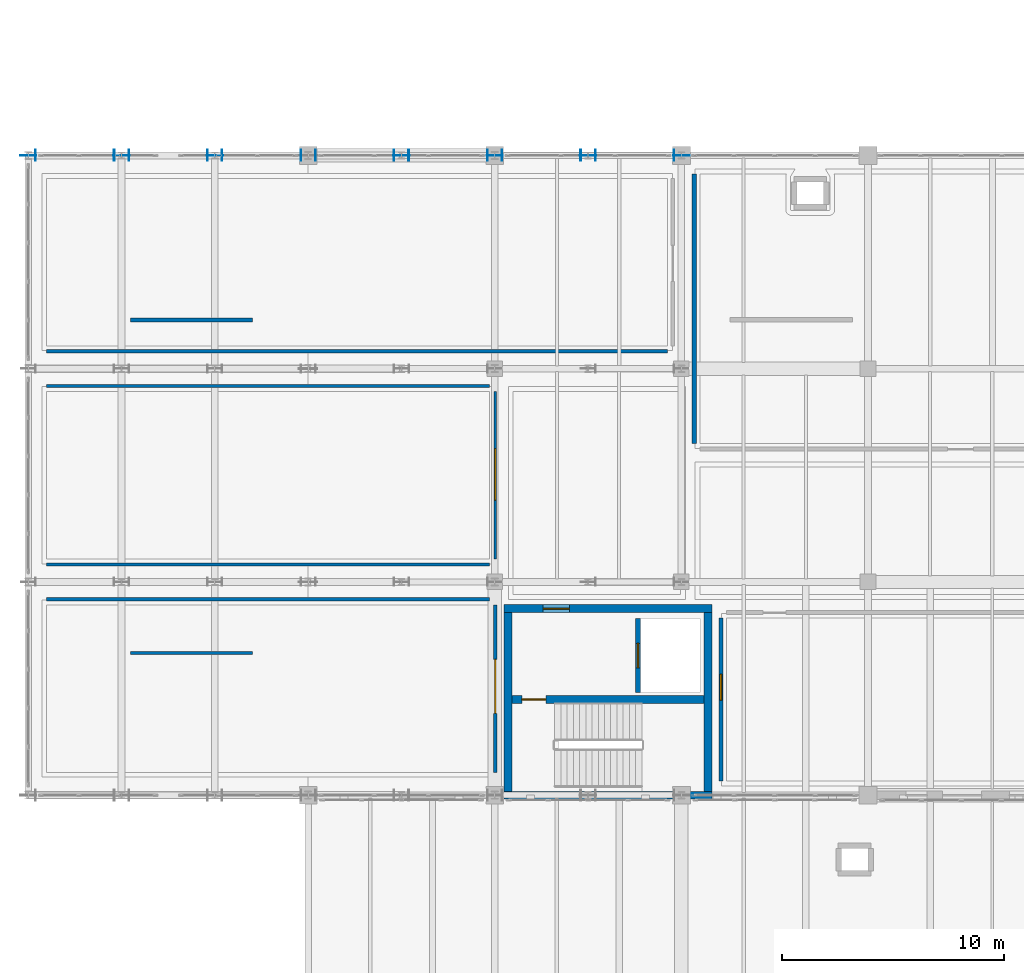
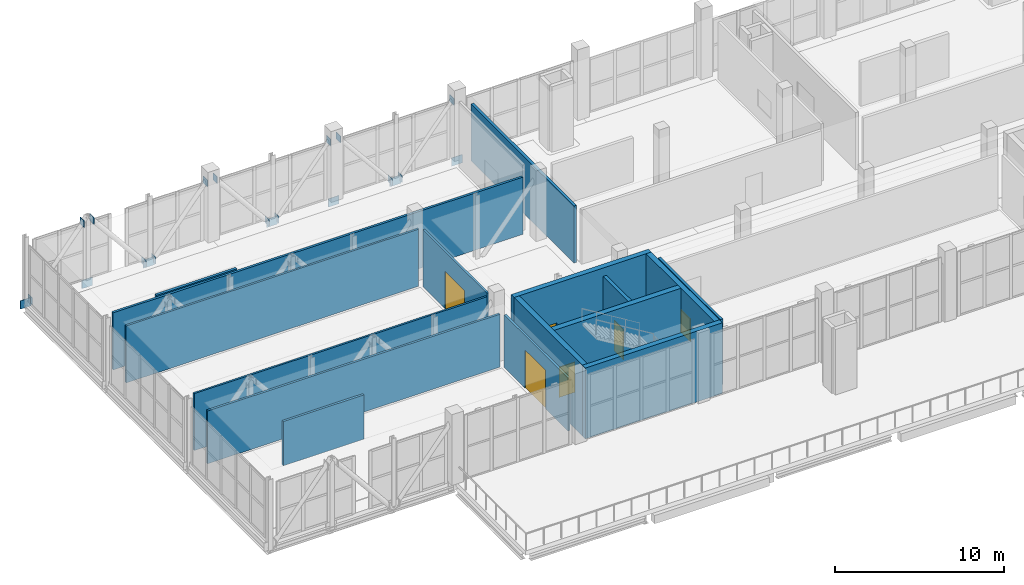
# One storey, part 58 of 77: 21 plates, 16 walls, 5 doors, 1 window, 6 openings.
"""IFC4 building model written with IfcOpenShell, lengths in metres."""

from ifc_helpers import new_model, si_unit, direction, frame, frame_2d, origin, origin_2d, place, context, subcontext, project, spatial, rectangle, extrude, material, layer, layer_set, type_object, element, fill, save


model = new_model("IFC4")

# Units and contexts
model_context = context("Model", 3, precision=1e-05, world=origin(), true_north=direction((0.0, 1.0)))
body_context = subcontext(model_context, "Body", "Model", "MODEL_VIEW")
ifc_project = project(units=[si_unit("LENGTHUNIT", "METRE"), si_unit("AREAUNIT", "SQUARE_METRE"), si_unit("VOLUMEUNIT", "CUBIC_METRE"), si_unit("PLANEANGLEUNIT", "RADIAN"), si_unit("MASSUNIT", "GRAM", prefix="KILO")], contexts=[model_context])

# Site, building, storey
site_placement = place(None, origin())
site = spatial("IfcSite", under=ifc_project, at=site_placement, CompositionType="ELEMENT")
building_placement = place(site_placement, origin())
building = spatial("IfcBuilding", under=site, at=building_placement, Name="Zulmaris Art Gallery", CompositionType="ELEMENT")
storey_placement = place(building_placement, frame((0.0, 0.0, 15.60009765625)))
storey = spatial("IfcBuildingStorey", under=building, at=storey_placement, Name="L03", CompositionType="ELEMENT", Elevation=15.60009765625)

# Plates
ifc_material_1 = material(Name="Steel S355J2", Category="steel")
ifc_layer_1 = layer(ifc_material_1, 0.028076171875)
ifc_layer_set_1 = layer_set([ifc_layer_1], Name="Steel S355J2")
plate_type_1 = type_object("IfcPlateType", Name="PLT-CP04", PredefinedType="USERDEFINED", material=ifc_layer_set_1)
for number, where, z_axis, x_axis, name in (
    (1, (11.72998046875, 50.39990234375, -0.384033203125), (0.0, 0.0, 1.0), (1.0, 0.0, 0.0), "Hollow-section end cap plate 39"),
    (2, (15.27001953125, 50.39990234375, 3.930419921875), (0.0, 0.0, 1.0), (1.0, 0.0, 0.0), "Hollow-section end cap plate 40"),
    (3, (15.929931640625, 50.39990234375, 3.930419921875), (0.0, 0.0, 1.0), (1.0, 0.0, 0.0), "Hollow-section end cap plate 41"),
    (4, (19.47021484375, 50.39990234375, -0.384033203125), (0.0, 0.0, 1.0), (1.0, 0.0, 0.0), "Hollow-section end cap plate 42"),
    (5, (20.1298828125, 50.39990234375, -0.384033203125), (0.0, 0.0, 1.0), (1.0, 0.0, 0.0), "Hollow-section end cap plate 43"),
    (6, (23.670166015625, 50.39990234375, 3.930419921875), (0.0, 0.0, 1.0), (1.0, 0.0, 0.0), "Hollow-section end cap plate 44"),
    (7, (24.329833984375, 50.39990234375, 3.930419921875), (0.0, 0.0, 1.0), (1.0, 0.0, 0.0), "Hollow-section end cap plate 45"),
    (8, (27.8701171875, 50.39990234375, -0.384033203125), (0.0, 0.0, 1.0), (1.0, 0.0, 0.0), "Hollow-section end cap plate 46"),
    (9, (28.52978515625, 50.39990234375, -0.384033203125), (0.0, 0.0, 1.0), (1.0, 0.0, 0.0), "Hollow-section end cap plate 47"),
    (10, (32.070068359375, 50.39990234375, 3.930419921875), (0.0, 0.0, 1.0), (1.0, 0.0, 0.0), "Hollow-section end cap plate 48"),
    (11, (32.72998046875, 50.39990234375, 3.930419921875), (0.0, 0.0, 1.0), (1.0, 0.0, 0.0), "Hollow-section end cap plate 49"),
    (12, (36.27001953125, 50.39990234375, -0.384033203125), (0.0, 0.0, 1.0), (1.0, 0.0, 0.0), "Hollow-section end cap plate 50"),
    (13, (36.929931640625, 50.39990234375, -0.384033203125), (0.0, 0.0, 1.0), (1.0, 0.0, 0.0), "Hollow-section end cap plate 51"),
    (14, (40.47021484375, 50.39990234375, 3.930419921875), (0.0, 0.0, 1.0), (1.0, 0.0, 0.0), "Hollow-section end cap plate 52"),
):
    element("IfcPlate", number, at=place(storey_placement, frame(where, z_axis=z_axis, x_axis=x_axis)), inside=storey, type_object=plate_type_1, Name=name, ObjectType="CAP PLATE", PredefinedType="USERDEFINED", context=body_context, shape_type="SweptSolid", body=[
        extrude(rectangle(XDim=0.028076171875, YDim=0.5, at=origin_2d()), origin(), (0.0, 0.0, 1.0), 0.5),
    ])
ifc_layer_2 = layer(ifc_material_1, 0.031982421875)
ifc_layer_set_2 = layer_set([ifc_layer_2], Name="Steel S355J2")
plate_type_2 = type_object("IfcPlateType", Name="PLT-GP03", PredefinedType="USERDEFINED", material=ifc_layer_set_2)
for number, where, z_axis, x_axis, name in (
    (15, (11.39990234375, 50.39990234375, -0.586181640625), (0.0, 0.0, 1.0), (1.0, 0.0, 0.0), "Cantilever truss TR-C4 node gusset 1"),
    (16, (15.60009765625, 50.39990234375, -0.586181640625), (0.0, 0.0, 1.0), (1.0, 0.0, 0.0), "Cantilever truss TR-C4 node gusset 2"),
    (17, (19.800048828125, 50.39990234375, -0.586181640625), (0.0, 0.0, 1.0), (1.0, 0.0, 0.0), "Cantilever truss TR-C4 node gusset 3"),
    (18, (28.199951171875, 50.39990234375, -0.586181640625), (0.0, 0.0, 1.0), (1.0, 0.0, 0.0), "Cantilever truss TR-C4 node gusset 5"),
    (19, (32.39990234375, 50.39990234375, -0.586181640625), (0.0, 0.0, 1.0), (1.0, 0.0, 0.0), "Cantilever truss TR-C4 node gusset 6"),
    (20, (36.60009765625, 50.39990234375, -0.586181640625), (0.0, 0.0, 1.0), (1.0, 0.0, 0.0), "Cantilever truss TR-C4 node gusset 7"),
    (21, (40.800048828125, 50.39990234375, -0.586181640625), (0.0, 0.0, 1.0), (1.0, 0.0, 0.0), "Cantilever truss TR-C4 node gusset 8"),
):
    element("IfcPlate", number, at=place(storey_placement, frame(where, z_axis=z_axis, x_axis=x_axis)), inside=storey, type_object=plate_type_2, Name=name, ObjectType="GUSSET PLATE", PredefinedType="USERDEFINED", context=body_context, shape_type="SweptSolid", body=[
        extrude(rectangle(XDim=0.739990234375, YDim=0.031982421875, at=origin_2d()), origin(), (0.0, 0.0, 1.0), 0.60009765625),
    ])

# Walls
ifc_material_2 = material(Name="Demountable Timber-Clad Exhibition Wall A", Category="wood")
ifc_layer_3 = layer(ifc_material_2, 0.152099609375)
ifc_layer_set_3 = layer_set([ifc_layer_3], Name="Demountable Timber-Clad Exhibition Wall A")
wall_type_1 = type_object("IfcWallType", Name="IWALL-MW01", PredefinedType="MOVABLE", material=ifc_layer_set_3)
wall_1_placement = place(storey_placement, frame((16.0, 28.0, 0.0), z_axis=(0.0, 0.0, 1.0), x_axis=(1.0, 0.0, 0.0)))
element("IfcWall", 22, at=wall_1_placement, inside=storey, type_object=wall_type_1, Name="L03 Movable Gallery Display Wall 13", PredefinedType="MOVABLE", context=body_context, shape_type="SweptSolid", body=[
    extrude(rectangle(XDim=5.5, YDim=0.152099609375, at=frame_2d((2.75, 0.0))), origin(), (0.0, 0.0, 1.0), 3.199951171875),
])
ifc_material_3 = material(Name="Track-Hung Acoustic Gallery Display Wall B", Category="timber")
ifc_layer_4 = layer(ifc_material_3, 0.181884765625)
ifc_layer_set_4 = layer_set([ifc_layer_4], Name="Track-Hung Acoustic Gallery Display Wall B")
wall_type_2 = type_object("IfcWallType", Name="IWALL-MW02", PredefinedType="MOVABLE", material=ifc_layer_set_4)
wall_2_placement = place(storey_placement, frame((16.0, 43.0, 0.0), z_axis=(0.0, 0.0, 1.0), x_axis=(1.0, 0.0, 0.0)))
element("IfcWall", 23, at=wall_2_placement, inside=storey, type_object=wall_type_2, Name="L03 Movable Gallery Display Wall 14", PredefinedType="MOVABLE", context=body_context, shape_type="SweptSolid", body=[
    extrude(rectangle(XDim=5.5, YDim=0.181884765625, at=frame_2d((2.75, 0.0))), origin(), (0.0, 0.0, 1.0), 3.199951171875),
])

# Wall, opening, door
ifc_material_4 = material(Name="Light Gallery Backing Partition", Category="gypsum")
ifc_layer_5 = layer(ifc_material_4, 0.1298828125)
ifc_layer_set_5 = layer_set([ifc_layer_5], Name="Light Gallery Backing Partition")
wall_type_3 = type_object("IfcWallType", Name="IWALL-PW03", PredefinedType="PARTITIONING", material=ifc_layer_set_5)
wall_3_placement = place(storey_placement, frame((32.419921875, 32.22998046875, 0.0), z_axis=(0.0, 0.0, 1.0), x_axis=(0.0, 1.0, 0.0)))
wall_3 = element("IfcWall", 24, at=wall_3_placement, inside=storey, type_object=wall_type_3, Name="Cantilever Horizon Belvedere Gallery E partition", PredefinedType="PARTITIONING", context=body_context, shape_type="SweptSolid", body=[
    extrude(rectangle(XDim=7.5400390625, YDim=0.1298828125, at=frame_2d((3.77001953125, 0.0))), origin(), (0.0, 0.0, 1.0), 4.10986328125),
])
opening_1_placement = place(wall_3_placement, frame((2.64990234375, 0.0, 0.0)))
opening_1 = element("IfcOpeningElement", 25, at=opening_1_placement, cuts=wall_3, Name="Opening D20", PredefinedType="OPENING", context=body_context, shape_type="SweptSolid", body=[
    extrude(rectangle(XDim=2.320068359375, YDim=2.699951171875, at=frame_2d((1.16015625, 1.35009765625))), frame((0.0, 0.074951171875, 0.0), z_axis=(0.0, -1.0, 0.0), x_axis=(1.0, 0.0, 0.0)), (0.0, 0.0, 1.0), 0.14990234375),
])
ifc_material_5 = material(Name="Oversize Painting Transit Portal Door", Category="steel")
door_type_1 = type_object("IfcDoorType", Name="IDOOR-D20", OperationType="DOUBLE_SWING_RIGHT", PredefinedType="DOOR", material=ifc_material_5)
door_1_placement = place(opening_1_placement, origin())
door_1 = element("IfcDoor", 26, at=door_1_placement, inside=storey, type_object=door_type_1, Name="Cantilever Horizon Belvedere Gallery Door", OperationType="DOUBLE_SWING_RIGHT", OverallHeight=2.699951171875, OverallWidth=2.320068359375, PredefinedType="DOOR", context=body_context, shape_type="SweptSolid", body=[
    extrude(rectangle(XDim=2.320068359375, YDim=2.699951171875, at=frame_2d((1.16015625, 1.35009765625))), frame((0.0, 0.02490234375, 0.0), z_axis=(0.0, -1.0, 0.0), x_axis=(1.0, 0.0, 0.0)), (0.0, 0.0, 1.0), 0.050048828125),
])
fill(opening_1, door_1)

# Walls
for number, where, z_axis, x_axis, name in (
    (27, (12.22998046875, 31.97998046875, 0.0), (0.0, 0.0, 1.0), (1.0, 0.0, 0.0), "Cantilever Horizon Belvedere Gallery S partition"),
    (28, (12.22998046875, 40.02001953125, 0.0), (0.0, 0.0, 1.0), (1.0, 0.0, 0.0), "Cantilever Horizon Belvedere Gallery N partition"),
):
    element("IfcWall", number, at=place(storey_placement, frame(where, z_axis=z_axis, x_axis=x_axis)), inside=storey, type_object=wall_type_3, Name=name, PredefinedType="PARTITIONING", context=body_context, shape_type="SweptSolid", body=[
        extrude(rectangle(XDim=19.93994140625, YDim=0.1298828125, at=frame_2d((9.969970703125, 0.0))), origin(), (0.0, 0.0, 1.0), 4.10986328125),
    ])

# Wall, opening, door
ifc_material_6 = material(Name="Plywood-Backed Gallery Hanging Partition", Category="wood")
ifc_layer_6 = layer(ifc_material_6, 0.14501953125)
ifc_layer_set_6 = layer_set([ifc_layer_6], Name="Plywood-Backed Gallery Hanging Partition")
wall_type_4 = type_object("IfcWallType", Name="IWALL-PW04", PredefinedType="PARTITIONING", material=ifc_layer_set_6)
wall_4_placement = place(storey_placement, frame((32.419921875, 22.6298828125, 0.0), z_axis=(0.0, 0.0, 1.0), x_axis=(0.0, 1.0, 0.0)))
wall_4 = element("IfcWall", 29, at=wall_4_placement, inside=storey, type_object=wall_type_4, Name="Cantilever South Sculpture Gallery E partition", PredefinedType="PARTITIONING", context=body_context, shape_type="SweptSolid", body=[
    extrude(rectangle(XDim=7.5400390625, YDim=0.14501953125, at=frame_2d((3.77001953125, 0.0))), origin(), (0.0, 0.0, 1.0), 3.809814453125),
])
opening_2_placement = place(wall_4_placement, frame((2.64990234375, 0.0, 0.0)))
opening_2 = element("IfcOpeningElement", 30, at=opening_2_placement, cuts=wall_4, Name="Opening D21", PredefinedType="OPENING", context=body_context, shape_type="SweptSolid", body=[
    extrude(rectangle(XDim=2.43994140625, YDim=2.760009765625, at=frame_2d((1.219970703125, 1.3798828125))), frame((0.0, 0.08251953125, 0.0), z_axis=(0.0, -1.0, 0.0), x_axis=(1.0, 0.0, 0.0)), (0.0, 0.0, 1.0), 0.1650390625),
])
ifc_material_7 = material(Name="Sculpture Gallery Monumental Portal Door", Category="aluminium")
door_type_2 = type_object("IfcDoorType", Name="IDOOR-D21", OperationType="DOUBLE_SWING_LEFT", PredefinedType="DOOR", material=ifc_material_7)
door_2_placement = place(opening_2_placement, origin())
door_2 = element("IfcDoor", 31, at=door_2_placement, inside=storey, type_object=door_type_2, Name="Cantilever South Sculpture Gallery Door", OperationType="DOUBLE_SWING_LEFT", OverallHeight=2.760009765625, OverallWidth=2.43994140625, PredefinedType="DOOR", context=body_context, shape_type="SweptSolid", body=[
    extrude(rectangle(XDim=2.43994140625, YDim=2.760009765625, at=frame_2d((1.219970703125, 1.3798828125))), frame((0.0, 0.02490234375, 0.0), z_axis=(0.0, -1.0, 0.0), x_axis=(1.0, 0.0, 0.0)), (0.0, 0.0, 1.0), 0.050048828125),
])
fill(opening_2, door_2)

# Walls
wall_5_placement = place(storey_placement, frame((12.22998046875, 30.419921875, 0.0), z_axis=(0.0, 0.0, 1.0), x_axis=(1.0, 0.0, 0.0)))
element("IfcWall", 32, at=wall_5_placement, inside=storey, type_object=wall_type_4, Name="Cantilever South Sculpture Gallery N partition", PredefinedType="PARTITIONING", context=body_context, shape_type="SweptSolid", body=[
    extrude(rectangle(XDim=19.93994140625, YDim=0.14501953125, at=frame_2d((9.969970703125, 0.0))), origin(), (0.0, 0.0, 1.0), 3.809814453125),
])
ifc_material_8 = material(Name="Timber-Backed Heavy Artwork Display Partition", Category="wood")
ifc_layer_7 = layer(ifc_material_8, 0.159912109375)
ifc_layer_set_7 = layer_set([ifc_layer_7], Name="Timber-Backed Heavy Artwork Display Partition")
wall_type_5 = type_object("IfcWallType", Name="IWALL-PW05", PredefinedType="PARTITIONING", material=ifc_layer_set_7)
wall_6_placement = place(storey_placement, frame((12.22998046875, 41.580078125, 0.0), z_axis=(0.0, 0.0, 1.0), x_axis=(1.0, 0.0, 0.0)))
element("IfcWall", 33, at=wall_6_placement, inside=storey, type_object=wall_type_5, Name="Cantilever North Light Gallery S partition", PredefinedType="PARTITIONING", context=body_context, shape_type="SweptSolid", body=[
    extrude(rectangle(XDim=27.93994140625, YDim=0.159912109375, at=frame_2d((13.969970703125, 0.0))), origin(), (0.0, 0.0, 1.0), 4.119873046875),
])

# Wall, opening, window
ifc_material_9 = material(Name="Acoustic Studio Separation Partition", Category="gypsum")
ifc_layer_8 = layer(ifc_material_9, 0.175048828125)
ifc_layer_set_8 = layer_set([ifc_layer_8], Name="Acoustic Studio Separation Partition")
wall_type_6 = type_object("IfcWallType", Name="IWALL-PW06", PredefinedType="PARTITIONING", material=ifc_layer_set_8)
wall_7_placement = place(storey_placement, frame((42.580078125, 22.22998046875, 0.0), z_axis=(0.0, 0.0, 1.0), x_axis=(0.0, 1.0, 0.0)))
wall_7 = element("IfcWall", 34, at=wall_7_placement, inside=storey, type_object=wall_type_6, Name="Contemporary Sculpture & Light Gallery W partition", PredefinedType="PARTITIONING", context=body_context, shape_type="SweptSolid", body=[
    extrude(rectangle(XDim=7.340087890625, YDim=0.175048828125, at=frame_2d((3.669921875, 0.0))), origin(), (0.0, 0.0, 1.0), 4.719970703125),
])
opening_3_placement = place(wall_7_placement, frame((3.64990234375, 0.0, 0.89990234375)))
opening_3 = element("IfcOpeningElement", 35, at=opening_3_placement, cuts=wall_7, Name="Opening IW08", PredefinedType="OPENING", context=body_context, shape_type="SweptSolid", body=[
    extrude(rectangle(XDim=1.159912109375, YDim=1.6201171875, at=frame_2d((0.580078125, 0.81005859375))), frame((0.0, 0.097412109375, 0.0), z_axis=(0.0, -1.0, 0.0), x_axis=(1.0, 0.0, 0.0)), (0.0, 0.0, 1.0), 0.195068359375),
])
ifc_material_10 = material(Name="Foyer Cloakroom Counter Glazing", Category="glass")
window_type = type_object("IfcWindowType", Name="IWIN-IW08", PartitioningType="SINGLE_PANEL", PredefinedType="WINDOW", material=ifc_material_10)
window_placement = place(opening_3_placement, origin())
window = element("IfcWindow", 36, at=window_placement, inside=storey, type_object=window_type, Name="L03 interior observation window IW08", OverallHeight=1.6201171875, OverallWidth=1.159912109375, PartitioningType="SINGLE_PANEL", PredefinedType="WINDOW", context=body_context, shape_type="SweptSolid", body=[
    extrude(rectangle(XDim=1.159912109375, YDim=1.6201171875, at=frame_2d((0.580078125, 0.81005859375))), frame((0.0, 0.030029296875, 0.0), z_axis=(0.0, -1.0, 0.0), x_axis=(1.0, 0.0, 0.0)), (0.0, 0.0, 1.0), 0.06005859375),
])
fill(opening_3, window)

# Wall
ifc_material_11 = material(Name="Conservation Laboratory Partition", Category="masonry")
ifc_layer_9 = layer(ifc_material_11, 0.18994140625)
ifc_layer_set_9 = layer_set([ifc_layer_9], Name="Conservation Laboratory Partition")
wall_type_7 = type_object("IfcWallType", Name="IWALL-PW07", PredefinedType="PARTITIONING", material=ifc_layer_set_9)
wall_8_placement = place(storey_placement, frame((41.3798828125, 37.429931640625, 0.0), z_axis=(0.0, 0.0, 1.0), x_axis=(0.0, 1.0, 0.0)))
element("IfcWall", 37, at=wall_8_placement, inside=storey, type_object=wall_type_7, Name="International Loan Exhibition Gallery W partition", PredefinedType="PARTITIONING", context=body_context, shape_type="SweptSolid", body=[
    extrude(rectangle(XDim=12.14013671875, YDim=0.18994140625, at=frame_2d((6.070068359375, 0.0))), origin(), (0.0, 0.0, 1.0), 4.10986328125),
])

# Wall, opening, door
ifc_material_12 = material(Name="Core Lobby Fire-Resisting Masonry Wall", Category="masonry")
ifc_layer_10 = layer(ifc_material_12, 0.235107421875)
ifc_layer_set_10 = layer_set([ifc_layer_10], Name="Core Lobby Fire-Resisting Masonry Wall")
wall_type_8 = type_object("IfcWallType", Name="IWALL-PW10", PredefinedType="PARTITIONING", material=ifc_layer_set_10)
wall_9_placement = place(storey_placement, frame((38.85009765625, 26.219970703125, 0.0), z_axis=(0.0, 0.0, 1.0), x_axis=(0.0, 1.0, 0.0)))
wall_9 = element("IfcWall", 38, at=wall_9_placement, inside=storey, type_object=wall_type_8, Name="LF-P1 L03 lift shaft front wall", PredefinedType="PARTITIONING", context=body_context, shape_type="SweptSolid", body=[
    extrude(rectangle(XDim=3.330078125, YDim=0.235107421875, at=frame_2d((1.6650390625, 0.0))), origin(), (0.0, 0.0, 1.0), 4.719970703125),
])
opening_4_placement = place(wall_9_placement, frame((1.114990234375, 0.0, 0.0)))
opening_4 = element("IfcOpeningElement", 39, at=opening_4_placement, cuts=wall_9, Name="Opening LD01", PredefinedType="OPENING", context=body_context, shape_type="SweptSolid", body=[
    extrude(rectangle(XDim=1.10009765625, YDim=2.199951171875, at=frame_2d((0.550048828125, 1.10009765625))), frame((0.0, 0.12744140625, 0.0), z_axis=(0.0, -1.0, 0.0), x_axis=(1.0, 0.0, 0.0)), (0.0, 0.0, 1.0), 0.255126953125),
])
ifc_material_13 = material(Name="Passenger Lift Sliding Landing Door", Category="steel")
door_type_3 = type_object("IfcDoorType", Name="IDOOR-LD01", OperationType="SLIDING_TO_LEFT", PredefinedType="DOOR", material=ifc_material_13)
door_3_placement = place(opening_4_placement, origin())
door_3 = element("IfcDoor", 40, at=door_3_placement, inside=storey, type_object=door_type_3, Name="LF-P1 L03 Lift Landing Sliding Door", OperationType="SLIDING_TO_LEFT", OverallHeight=2.199951171875, OverallWidth=1.10009765625, PredefinedType="DOOR", context=body_context, shape_type="SweptSolid", body=[
    extrude(rectangle(XDim=1.10009765625, YDim=2.199951171875, at=frame_2d((0.550048828125, 1.10009765625))), frame((0.0, 0.02490234375, 0.0), z_axis=(0.0, -1.0, 0.0), x_axis=(1.0, 0.0, 0.0)), (0.0, 0.0, 1.0), 0.050048828125),
])
fill(opening_4, door_3)

# Wall
ifc_material_14 = material(Name="Concrete C50/60", Category="concrete")
ifc_layer_11 = layer(ifc_material_14, 0.35009765625)
ifc_layer_set_11 = layer_set([ifc_layer_11], Name="Concrete C50/60")
wall_type_9 = type_object("IfcWallType", Name="STR-WALL-SW01", PredefinedType="SHEAR", material=ifc_layer_set_11)
wall_10_placement = place(storey_placement, frame((32.824951171875, 21.60009765625, 0.0), z_axis=(0.0, 0.0, 1.0), x_axis=(1.0, 0.0, 0.0)))
element("IfcWall", 41, at=wall_10_placement, inside=storey, type_object=wall_type_9, Name="Core C1 L03 S shear wall", PredefinedType="SHEAR", context=body_context, shape_type="SweptSolid", body=[
    extrude(rectangle(XDim=9.35009765625, YDim=0.35009765625, at=frame_2d((4.675048828125, 0.0))), origin(), (0.0, 0.0, 1.0), 5.099853515625),
])

# Wall, opening, door
wall_11_placement = place(storey_placement, frame((32.824951171875, 30.0, 0.0), z_axis=(0.0, 0.0, 1.0), x_axis=(1.0, 0.0, 0.0)))
wall_11 = element("IfcWall", 42, at=wall_11_placement, inside=storey, type_object=wall_type_9, Name="Core C1 L03 N shear wall", PredefinedType="SHEAR", context=body_context, shape_type="SweptSolid", body=[
    extrude(rectangle(XDim=9.35009765625, YDim=0.35009765625, at=frame_2d((4.675048828125, 0.0))), origin(), (0.0, 0.0, 1.0), 5.099853515625),
])
opening_5_placement = place(wall_11_placement, frame((1.75, 0.0, 0.0)))
opening_5 = element("IfcOpeningElement", 43, at=opening_5_placement, cuts=wall_11, Name="Opening D08", PredefinedType="OPENING", context=body_context, shape_type="SweptSolid", body=[
    extrude(rectangle(XDim=1.179931640625, YDim=2.239990234375, at=frame_2d((0.58984375, 1.1201171875))), frame((0.0, 0.18505859375, 0.0), z_axis=(0.0, -1.0, 0.0), x_axis=(1.0, 0.0, 0.0)), (0.0, 0.0, 1.0), 0.3701171875),
])
ifc_material_15 = material(Name="Firefighting Lobby Compartment Door", Category="steel")
door_type_4 = type_object("IfcDoorType", Name="IDOOR-D08", OperationType="NOTDEFINED", PredefinedType="DOOR", material=ifc_material_15)
door_4_placement = place(opening_5_placement, origin())
door_4 = element("IfcDoor", 44, at=door_4_placement, inside=storey, type_object=door_type_4, Name="Core C1 L03 Lobby Compartment Door", OperationType="SINGLE_SWING_RIGHT", OverallHeight=2.239990234375, OverallWidth=1.179931640625, PredefinedType="DOOR", context=body_context, shape_type="SweptSolid", body=[
    extrude(rectangle(XDim=1.179931640625, YDim=2.239990234375, at=frame_2d((0.58984375, 1.1201171875))), frame((0.0, 0.02490234375, 0.0), z_axis=(0.0, -1.0, 0.0), x_axis=(1.0, 0.0, 0.0)), (0.0, 0.0, 1.0), 0.050048828125),
])
fill(opening_5, door_4)

# Walls
for number, where, z_axis, x_axis, name in (
    (45, (33.0, 21.77490234375, 0.0), (0.0, 0.0, 1.0), (0.0, 1.0, 0.0), "Core C1 L03 W shear wall"),
    (46, (42.0, 21.77490234375, 0.0), (0.0, 0.0, 1.0), (0.0, 1.0, 0.0), "Core C1 L03 E shear wall"),
):
    element("IfcWall", number, at=place(storey_placement, frame(where, z_axis=z_axis, x_axis=x_axis)), inside=storey, type_object=wall_type_9, Name=name, PredefinedType="SHEAR", context=body_context, shape_type="SweptSolid", body=[
        extrude(rectangle(XDim=8.050048828125, YDim=0.35009765625, at=frame_2d((4.02490234375, 0.0))), origin(), (0.0, 0.0, 1.0), 5.099853515625),
    ])

# Wall, opening, door
ifc_layer_12 = layer(ifc_material_14, 0.3798828125)
ifc_layer_set_12 = layer_set([ifc_layer_12], Name="Concrete C50/60")
wall_type_10 = type_object("IfcWallType", Name="STR-WALL-SW02", PredefinedType="SHEAR", material=ifc_layer_set_12)
wall_12_placement = place(storey_placement, frame((33.175048828125, 25.909912109375, 0.0), z_axis=(0.0, 0.0, 1.0), x_axis=(1.0, 0.0, 0.0)))
wall_12 = element("IfcWall", 47, at=wall_12_placement, inside=storey, type_object=wall_type_10, Name="Core C1 L03 DIV shear wall", PredefinedType="SHEAR", context=body_context, shape_type="SweptSolid", body=[
    extrude(rectangle(XDim=8.64990234375, YDim=0.3798828125, at=frame_2d((4.324951171875, 0.0))), origin(), (0.0, 0.0, 1.0), 5.099853515625),
])
opening_6_placement = place(wall_12_placement, frame((0.449951171875, 0.0, 0.0)))
opening_6 = element("IfcOpeningElement", 48, at=opening_6_placement, cuts=wall_12, Name="Opening D07", PredefinedType="OPENING", context=body_context, shape_type="SweptSolid", body=[
    extrude(rectangle(XDim=1.080078125, YDim=2.179931640625, at=frame_2d((0.5400390625, 1.08984375))), frame((0.0, 0.199951171875, 0.0), z_axis=(0.0, -1.0, 0.0), x_axis=(1.0, 0.0, 0.0)), (0.0, 0.0, 1.0), 0.39990234375),
])
ifc_material_16 = material(Name="Stairwell Fire Escape Door", Category="steel")
door_type_5 = type_object("IfcDoorType", Name="IDOOR-D07", OperationType="NOTDEFINED", PredefinedType="DOOR", material=ifc_material_16)
door_5_placement = place(opening_6_placement, origin())
door_5 = element("IfcDoor", 49, at=door_5_placement, inside=storey, type_object=door_type_5, Name="Core C1 L03 Stair ST1 Fire Door", OperationType="SINGLE_SWING_LEFT", OverallHeight=2.179931640625, OverallWidth=1.080078125, PredefinedType="DOOR", context=body_context, shape_type="SweptSolid", body=[
    extrude(rectangle(XDim=1.080078125, YDim=2.179931640625, at=frame_2d((0.5400390625, 1.08984375))), frame((0.0, 0.02490234375, 0.0), z_axis=(0.0, -1.0, 0.0), x_axis=(1.0, 0.0, 0.0)), (0.0, 0.0, 1.0), 0.050048828125),
])
fill(opening_6, door_5)

save(model, "model.ifc")
